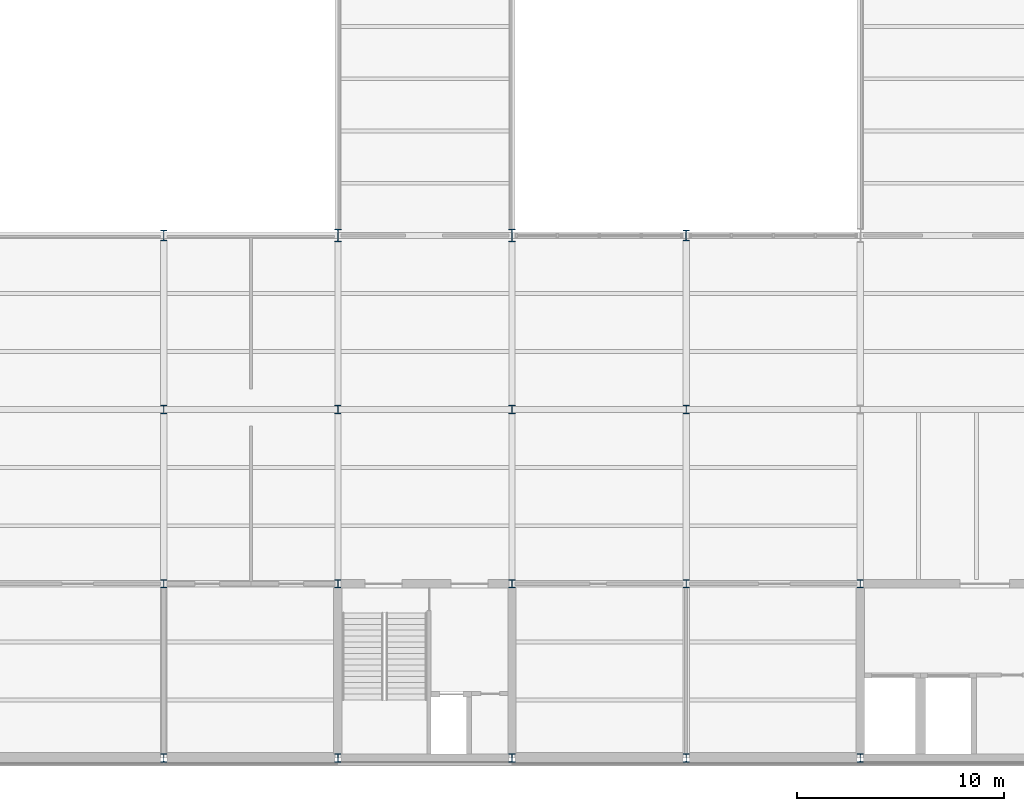
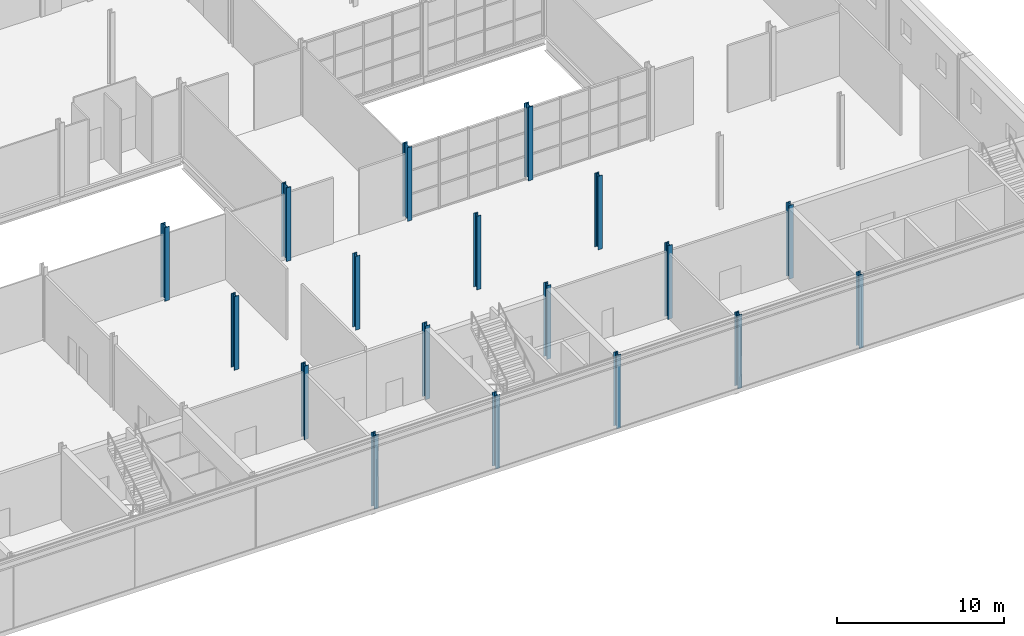
# One storey, part 5 of 57: 18 columns.
"""IFC4 building model written with IfcOpenShell, lengths in metres."""

from ifc_helpers import new_model, si_unit, direction, frame, origin, origin_2d, place, context, subcontext, project, spatial, i_section, extrude, material, material_profile, profile_set, type_object, element, save


model = new_model("IFC4")

# Units and contexts
model_context = context("Model", 3, precision=1e-05, world=origin(), true_north=direction((0.0, 1.0)))
body_context = subcontext(model_context, "Body", "Model", "MODEL_VIEW")
ifc_project = project(units=[si_unit("LENGTHUNIT", "METRE"), si_unit("AREAUNIT", "SQUARE_METRE"), si_unit("VOLUMEUNIT", "CUBIC_METRE"), si_unit("PLANEANGLEUNIT", "RADIAN"), si_unit("MASSUNIT", "GRAM", prefix="KILO")], contexts=[model_context])

# Site, building, storey
site_placement = place(None, origin())
site = spatial("IfcSite", under=ifc_project, at=site_placement, CompositionType="ELEMENT")
building_placement = place(site_placement, origin())
building = spatial("IfcBuilding", under=site, at=building_placement, Name="Galleria Vessillo Department Store", CompositionType="ELEMENT")
storey_placement = place(building_placement, frame((0.0, 0.0, 25.800048828125)))
storey = spatial("IfcBuildingStorey", under=building, at=storey_placement, Name="L05", CompositionType="ELEMENT", Elevation=25.800048828125)

# Columns
ifc_material_1 = material(Name="Steel S355 J2", Category="steel")
ifc_material_profile_1 = material_profile(ifc_material_1, i_section(OverallWidth=0.300048828125, OverallDepth=0.39990234375, WebThickness=0.013427734375, FlangeThickness=0.02392578125, FilletRadius=0.027099609375, at=origin_2d()), Name="HEB 400")
ifc_profile_set_1 = profile_set([ifc_material_profile_1], Name="Steel S355 J2")
column_type_1 = type_object("IfcColumnType", Name="Steel column HEB 400 CP2", PredefinedType="COLUMN", material=ifc_profile_set_1)
for number, where, z_axis, x_axis, name in (
    (1, (67.199951171875, 0.0, 0.0), (0.0, 0.0, 1.0), (1.0, 0.0, 0.0), "S-COL-L05-9-A"),
    (2, (67.199951171875, 8.39990234375, 0.0), (0.0, 0.0, 1.0), (1.0, 0.0, 0.0), "S-COL-L05-9-B"),
    (3, (67.199951171875, 16.800048828125, 0.0), (0.0, 0.0, 1.0), (1.0, 0.0, 0.0), "S-COL-L05-9-C"),
    (4, (75.60009765625, 0.0, 0.0), (0.0, 0.0, 1.0), (1.0, 0.0, 0.0), "S-COL-L05-10-A"),
    (5, (75.60009765625, 8.39990234375, 0.0), (0.0, 0.0, 1.0), (1.0, 0.0, 0.0), "S-COL-L05-10-B"),
    (6, (75.60009765625, 16.800048828125, 0.0), (0.0, 0.0, 1.0), (1.0, 0.0, 0.0), "S-COL-L05-10-C"),
    (7, (84.0, 0.0, 0.0), (0.0, 0.0, 1.0), (1.0, 0.0, 0.0), "S-COL-L05-11-A"),
    (8, (84.0, 8.39990234375, 0.0), (0.0, 0.0, 1.0), (1.0, 0.0, 0.0), "S-COL-L05-11-B"),
    (9, (84.0, 16.800048828125, 0.0), (0.0, 0.0, 1.0), (1.0, 0.0, 0.0), "S-COL-L05-11-C"),
    (10, (92.39990234375, 0.0, 0.0), (0.0, 0.0, 1.0), (1.0, 0.0, 0.0), "S-COL-L05-12-A"),
    (11, (92.39990234375, 8.39990234375, 0.0), (0.0, 0.0, 1.0), (1.0, 0.0, 0.0), "S-COL-L05-12-B"),
    (12, (92.39990234375, 16.800048828125, 0.0), (0.0, 0.0, 1.0), (1.0, 0.0, 0.0), "S-COL-L05-12-C"),
    (13, (100.800048828125, 0.0, 0.0), (0.0, 0.0, 1.0), (1.0, 0.0, 0.0), "S-COL-L05-13-A"),
    (14, (100.800048828125, 8.39990234375, 0.0), (0.0, 0.0, 1.0), (1.0, 0.0, 0.0), "S-COL-L05-13-B"),
):
    element("IfcColumn", number, at=place(storey_placement, frame(where, z_axis=z_axis, x_axis=x_axis)), inside=storey, type_object=column_type_1, Name=name, PredefinedType="COLUMN", context=body_context, shape_type="SweptSolid", body=[
        extrude(i_section(OverallWidth=0.300048828125, OverallDepth=0.39990234375, WebThickness=0.013427734375, FlangeThickness=0.02392578125, FilletRadius=0.027099609375, at=origin_2d()), origin(), (0.0, 0.0, 1.0), 5.39990234375),
    ])
ifc_material_2 = material(Name="Steel S355 J2", Category="steel")
ifc_material_profile_2 = material_profile(ifc_material_2, i_section(OverallWidth=0.305908203125, OverallDepth=0.52392578125, WebThickness=0.02099609375, FlangeThickness=0.0400390625, FilletRadius=0.027099609375, at=origin_2d()), Name="HEM 500")
ifc_profile_set_2 = profile_set([ifc_material_profile_2], Name="Steel S355 J2")
column_type_2 = type_object("IfcColumnType", Name="Steel column HEM 500 CV1", PredefinedType="COLUMN", material=ifc_profile_set_2)
for number, where, z_axis, x_axis, name in (
    (15, (67.199951171875, 25.199951171875, 0.0), (0.0, 0.0, 1.0), (1.0, 0.0, 0.0), "S-COL-L05-9-D"),
    (16, (92.39990234375, 25.199951171875, 0.0), (0.0, 0.0, 1.0), (1.0, 0.0, 0.0), "S-COL-L05-12-D"),
):
    element("IfcColumn", number, at=place(storey_placement, frame(where, z_axis=z_axis, x_axis=x_axis)), inside=storey, type_object=column_type_2, Name=name, PredefinedType="COLUMN", context=body_context, shape_type="SweptSolid", body=[
        extrude(i_section(OverallWidth=0.305908203125, OverallDepth=0.52392578125, WebThickness=0.02099609375, FlangeThickness=0.0400390625, FilletRadius=0.027099609375, at=origin_2d()), origin(), (0.0, 0.0, 1.0), 5.39990234375),
    ])
ifc_material_3 = material(Name="Steel S355 J2", Category="steel")
ifc_material_profile_3 = material_profile(ifc_material_3, i_section(OverallWidth=0.304931640625, OverallDepth=0.6201171875, WebThickness=0.02099609375, FlangeThickness=0.0400390625, FilletRadius=0.027099609375, at=origin_2d()), Name="HEM 600")
ifc_profile_set_3 = profile_set([ifc_material_profile_3], Name="Steel S355 J2")
column_type_3 = type_object("IfcColumnType", Name="Steel column HEM 600 CV2", PredefinedType="COLUMN", material=ifc_profile_set_3)
for number, where, z_axis, x_axis, name in (
    (17, (75.60009765625, 25.199951171875, 0.0), (0.0, 0.0, 1.0), (1.0, 0.0, 0.0), "S-COL-L05-10-D"),
    (18, (84.0, 25.199951171875, 0.0), (0.0, 0.0, 1.0), (1.0, 0.0, 0.0), "S-COL-L05-11-D"),
):
    element("IfcColumn", number, at=place(storey_placement, frame(where, z_axis=z_axis, x_axis=x_axis)), inside=storey, type_object=column_type_3, Name=name, PredefinedType="COLUMN", context=body_context, shape_type="SweptSolid", body=[
        extrude(i_section(OverallWidth=0.304931640625, OverallDepth=0.6201171875, WebThickness=0.02099609375, FlangeThickness=0.0400390625, FilletRadius=0.027099609375, at=origin_2d()), origin(), (0.0, 0.0, 1.0), 5.39990234375),
    ])

save(model, "model.ifc")
